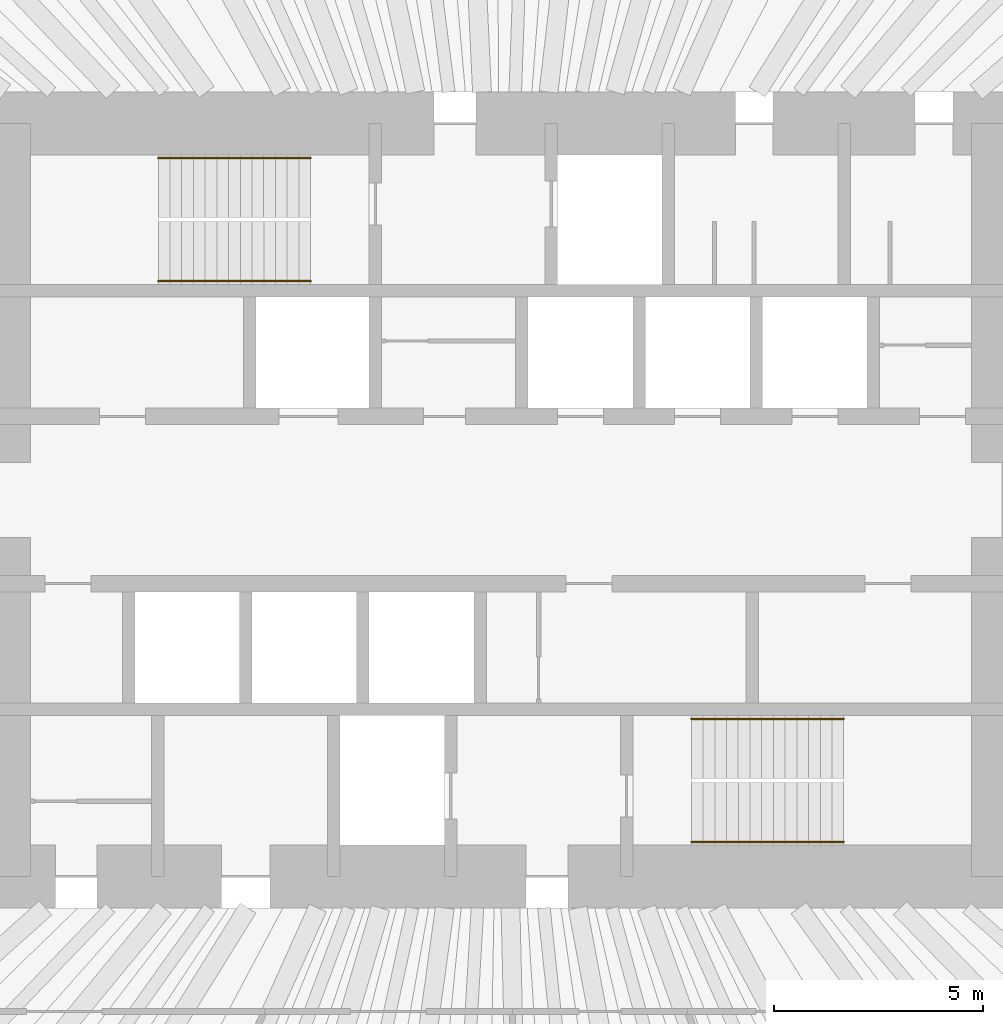
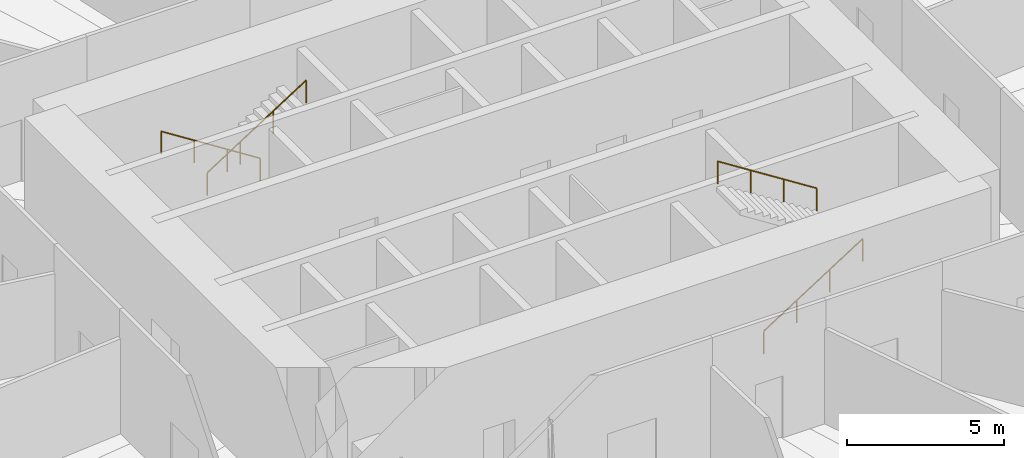
# One storey, part 13 of 13: 4 railings.
"""IFC4 building model written with IfcOpenShell, lengths in metres."""

from ifc_helpers import new_model, si_unit, direction, frame, origin, origin_2d, place, context, subcontext, project, spatial, circle, extrude, material, type_object, element, save


model = new_model("IFC4")

# Units and contexts
model_context = context("Model", 3, precision=1e-05, world=origin(), true_north=direction((0.0, 1.0)))
body_context = subcontext(model_context, "Body", "Model", "MODEL_VIEW")
ifc_project = project(units=[si_unit("LENGTHUNIT", "METRE"), si_unit("AREAUNIT", "SQUARE_METRE"), si_unit("VOLUMEUNIT", "CUBIC_METRE"), si_unit("PLANEANGLEUNIT", "RADIAN"), si_unit("MASSUNIT", "GRAM", prefix="KILO")], contexts=[model_context])

# Site, building, storey
site_placement = place(None, origin())
site = spatial("IfcSite", under=ifc_project, at=site_placement, CompositionType="ELEMENT")
building_placement = place(site_placement, origin())
building = spatial("IfcBuilding", under=site, at=building_placement, Name="Qingtian Harvest Tower", CompositionType="ELEMENT")
storey_placement = place(building_placement, frame((0.0, 0.0, 67.0)))
storey = spatial("IfcBuildingStorey", under=building, at=storey_placement, Name="L13", CompositionType="ELEMENT", Elevation=67.0)

# Railings
ifc_material = material(Name="Stainless steel handrail", Category="steel")
railing_type = type_object("IfcRailingType", Name="Handrail HR1", PredefinedType="HANDRAIL", material=ifc_material)
railing_1_placement = place(storey_placement, frame((-4.550048828125, 8.169921875, 0.178466796875)))
element("IfcRailing", 1, at=railing_1_placement, inside=storey, type_object=railing_type, Name="Handrail HR1 S1 flight 1", PredefinedType="HANDRAIL", context=body_context, shape_type="SweptSolid", body=[
    extrude(circle(Radius=0.02392578125, at=origin_2d()), frame((0.0, 0.0, 0.8759765625), z_axis=(-0.843111507901, 0.0, 0.53773877045), x_axis=(0.0, -1.0, 0.0)), (0.0, 0.0, 1.0), 4.317138671875),
    extrude(circle(Radius=0.02099609375, at=origin_2d()), origin(), (0.0, 0.0, 1.0), 0.851806640625),
    extrude(circle(Radius=0.02099609375, at=origin_2d()), frame((-1.21337890625, 0.0, 0.77392578125)), (0.0, 0.0, 1.0), 0.851806640625),
    extrude(circle(Radius=0.02099609375, at=origin_2d()), frame((-2.426513671875, 0.0, 1.547607421875)), (0.0, 0.0, 1.0), 0.851806640625),
    extrude(circle(Radius=0.02099609375, at=origin_2d()), frame((-3.639892578125, 0.0, 2.321533203125)), (0.0, 0.0, 1.0), 0.851806640625),
])
for number, where, name in (
    (2, (-8.18994140625, 5.22998046875, 2.678466796875), "Handrail HR1 S1 flight 2"),
    (3, (4.550048828125, -8.169921875, 0.178466796875), "Handrail HR1 S2 flight 1"),
):
    element("IfcRailing", number, at=place(storey_placement, frame(where)), inside=storey, type_object=railing_type, Name=name, PredefinedType="HANDRAIL", context=body_context, shape_type="SweptSolid", body=[
        extrude(circle(Radius=0.02392578125, at=origin_2d()), frame((0.0, 0.0, 0.8759765625), z_axis=(0.843111507901, 0.0, 0.53773877045), x_axis=(0.0, 1.0, 0.0)), (0.0, 0.0, 1.0), 4.317138671875),
        extrude(circle(Radius=0.02099609375, at=origin_2d()), origin(), (0.0, 0.0, 1.0), 0.851806640625),
        extrude(circle(Radius=0.02099609375, at=origin_2d()), frame((1.21337890625, 0.0, 0.77392578125)), (0.0, 0.0, 1.0), 0.851806640625),
        extrude(circle(Radius=0.02099609375, at=origin_2d()), frame((2.426513671875, 0.0, 1.547607421875)), (0.0, 0.0, 1.0), 0.851806640625),
        extrude(circle(Radius=0.02099609375, at=origin_2d()), frame((3.639892578125, 0.0, 2.321533203125)), (0.0, 0.0, 1.0), 0.851806640625),
    ])
railing_2_placement = place(storey_placement, frame((8.18994140625, -5.22998046875, 2.678466796875)))
element("IfcRailing", 4, at=railing_2_placement, inside=storey, type_object=railing_type, Name="Handrail HR1 S2 flight 2", PredefinedType="HANDRAIL", context=body_context, shape_type="SweptSolid", body=[
    extrude(circle(Radius=0.02392578125, at=origin_2d()), frame((0.0, 0.0, 0.8759765625), z_axis=(-0.843111507901, 0.0, 0.53773877045), x_axis=(0.0, -1.0, 0.0)), (0.0, 0.0, 1.0), 4.317138671875),
    extrude(circle(Radius=0.02099609375, at=origin_2d()), origin(), (0.0, 0.0, 1.0), 0.851806640625),
    extrude(circle(Radius=0.02099609375, at=origin_2d()), frame((-1.21337890625, 0.0, 0.77392578125)), (0.0, 0.0, 1.0), 0.851806640625),
    extrude(circle(Radius=0.02099609375, at=origin_2d()), frame((-2.426513671875, 0.0, 1.547607421875)), (0.0, 0.0, 1.0), 0.851806640625),
    extrude(circle(Radius=0.02099609375, at=origin_2d()), frame((-3.639892578125, 0.0, 2.321533203125)), (0.0, 0.0, 1.0), 0.851806640625),
])

save(model, "model.ifc")
